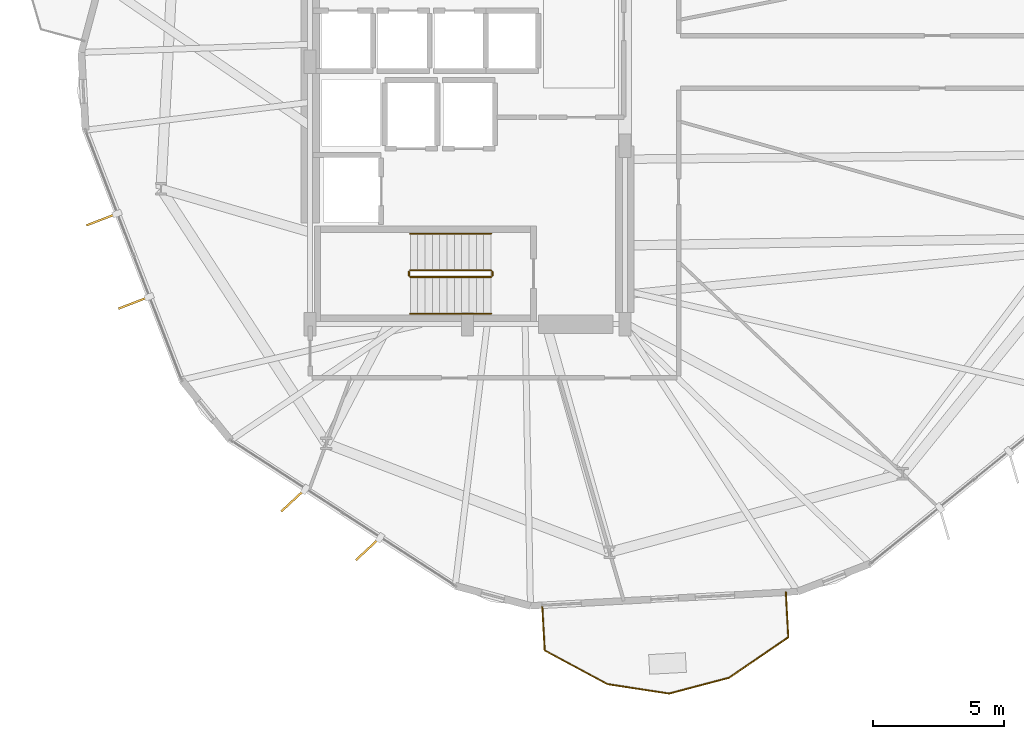
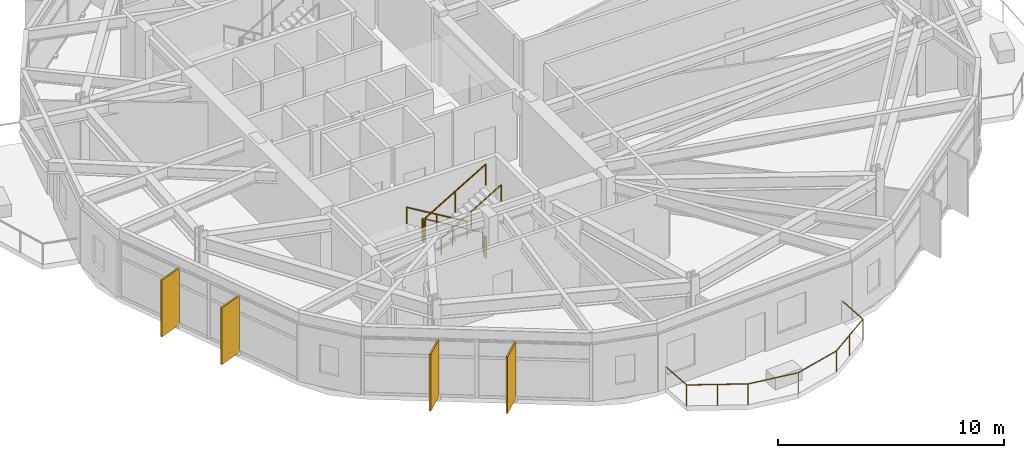
# One storey, part 21 of 23: 7 railings, 4 shading devices.
"""IFC4 building model written with IfcOpenShell, lengths in metres."""

from ifc_helpers import new_model, si_unit, direction, frame, origin, origin_2d, place, context, subcontext, project, spatial, rectangle, circle, extrude, material, layer, layer_set, type_object, element, save


model = new_model("IFC4")

# Units and contexts
model_context = context("Model", 3, precision=1e-05, world=origin(), true_north=direction((0.0, 1.0)))
body_context = subcontext(model_context, "Body", "Model", "MODEL_VIEW")
ifc_project = project(units=[si_unit("LENGTHUNIT", "METRE"), si_unit("AREAUNIT", "SQUARE_METRE"), si_unit("VOLUMEUNIT", "CUBIC_METRE"), si_unit("PLANEANGLEUNIT", "RADIAN"), si_unit("MASSUNIT", "GRAM", prefix="KILO")], contexts=[model_context])

# Site, building, storey
site_placement = place(None, origin())
site = spatial("IfcSite", under=ifc_project, at=site_placement, CompositionType="ELEMENT")
building_placement = place(site_placement, origin())
building = spatial("IfcBuilding", under=site, at=building_placement, Name="Soratama Intermodal Tower", CompositionType="ELEMENT")
storey_placement = place(building_placement, frame((0.0, 0.0, 38.60009765625)))
storey = spatial("IfcBuildingStorey", under=building, at=storey_placement, Name="L08", CompositionType="ELEMENT", Elevation=38.60009765625)

# Railings
ifc_material_1 = material(Name="Laminated glass and stainless steel balustrade", Category="steel")
railing_type_1 = type_object("IfcRailingType", Name="RL-BAL-1150", PredefinedType="BALUSTRADE", material=ifc_material_1)
railing_1_placement = place(storey_placement, frame((50.738037109375, 4.779541015625, 0.0)))
element("IfcRailing", 1, at=railing_1_placement, inside=storey, type_object=railing_type_1, Name="L08 Balcony Balustrade 4", PredefinedType="BALUSTRADE", context=body_context, shape_type="SweptSolid", body=[
    extrude(circle(Radius=0.02392578125, at=origin_2d()), frame((0.0, 0.0, 1.1259765625), z_axis=(0.053512413431, -0.998567184324, 0.0), x_axis=(0.998567184324, 0.053512413431, 0.0)), (0.0, 0.0, 1.0), 1.719970703125),
    extrude(circle(Radius=0.02392578125, at=origin_2d()), frame((0.092041015625, -1.717529296875, 1.1259765625), z_axis=(-0.825269863009, -0.564738570677, 0.0), x_axis=(0.564738570677, -0.825269863009, 0.0)), (0.0, 0.0, 1.0), 2.72216796875),
    extrude(circle(Radius=0.02392578125, at=origin_2d()), frame((-2.154541015625, -3.2548828125, 1.1259765625), z_axis=(-0.966661836648, -0.25605642653, 0.0), x_axis=(0.25605642653, -0.966661836648, 0.0)), (0.0, 0.0, 1.0), 2.375),
    extrude(circle(Radius=0.02392578125, at=origin_2d()), frame((-4.450439453125, -3.863037109375, 1.1259765625), z_axis=(-0.988457094084, 0.151501066516, 0.0), x_axis=(-0.151501066516, -0.988457094084, 0.0)), (0.0, 0.0, 1.0), 2.375244140625),
    extrude(circle(Radius=0.02392578125, at=origin_2d()), frame((-6.79833984375, -3.503173828125, 1.1259765625), z_axis=(-0.880779045809, 0.473527478044, 0.0), x_axis=(-0.473527478044, -0.880779045809, 0.0)), (0.0, 0.0, 1.0), 2.72216796875),
    extrude(circle(Radius=0.02392578125, at=origin_2d()), frame((-9.196044921875, -2.214111328125, 1.1259765625), z_axis=(-0.053370875543, 0.998574759166, 0.0), x_axis=(-0.998574759166, -0.053370875543, 0.0)), (0.0, 0.0, 1.0), 1.719970703125),
    extrude(circle(Radius=0.02099609375, at=origin_2d()), origin(), (0.0, 0.0, 1.0), 1.101806640625),
    extrude(circle(Radius=0.02099609375, at=origin_2d()), frame((0.092041015625, -1.717529296875, 0.0)), (0.0, 0.0, 1.0), 1.101806640625),
    extrude(circle(Radius=0.02099609375, at=origin_2d()), frame((-1.03125, -2.486328125, 0.0)), (0.0, 0.0, 1.0), 1.101806640625),
    extrude(circle(Radius=0.02099609375, at=origin_2d()), frame((-2.154541015625, -3.2548828125, 0.0)), (0.0, 0.0, 1.0), 1.101806640625),
    extrude(circle(Radius=0.02099609375, at=origin_2d()), frame((-4.450439453125, -3.863037109375, 0.0)), (0.0, 0.0, 1.0), 1.101806640625),
    extrude(circle(Radius=0.02099609375, at=origin_2d()), frame((-6.79833984375, -3.503173828125, 0.0)), (0.0, 0.0, 1.0), 1.101806640625),
    extrude(circle(Radius=0.02099609375, at=origin_2d()), frame((-7.9970703125, -2.858642578125, 0.0)), (0.0, 0.0, 1.0), 1.101806640625),
    extrude(circle(Radius=0.02099609375, at=origin_2d()), frame((-9.196044921875, -2.214111328125, 0.0)), (0.0, 0.0, 1.0), 1.101806640625),
    extrude(circle(Radius=0.02099609375, at=origin_2d()), frame((-9.287841796875, -0.49658203125, 0.0)), (0.0, 0.0, 1.0), 1.101806640625),
])
ifc_material_2 = material(Name="Painted steel stair guardrail", Category="steel")
railing_type_2 = type_object("IfcRailingType", Name="RL-STAIR-GUARD", PredefinedType="GUARDRAIL", material=ifc_material_2)
railing_2_placement = place(storey_placement, frame((39.5, 17.050048828125, 0.16650390625)))
element("IfcRailing", 2, at=railing_2_placement, inside=storey, type_object=railing_type_2, Name="L08 ST-1 stair guard 1", PredefinedType="GUARDRAIL", context=body_context, shape_type="SweptSolid", body=[
    extrude(circle(Radius=0.02392578125, at=origin_2d()), frame((0.0, 0.0, 1.1259765625), z_axis=(-0.85927862911, 0.0, 0.511507807912), x_axis=(0.0, -1.0, 0.0)), (0.0, 0.0, 1.0), 3.58447265625),
    extrude(circle(Radius=0.02099609375, at=origin_2d()), origin(), (0.0, 0.0, 1.0), 1.101806640625),
    extrude(circle(Radius=0.02099609375, at=origin_2d()), frame((-1.5400390625, 0.0, 0.916748046875)), (0.0, 0.0, 1.0), 1.101806640625),
    extrude(circle(Radius=0.02099609375, at=origin_2d()), frame((-3.080078125, 0.0, 1.83349609375)), (0.0, 0.0, 1.0), 1.101806640625),
])
railing_3_placement = place(storey_placement, frame((36.3701171875, 17.0, 2.0)))
element("IfcRailing", 3, at=railing_3_placement, inside=storey, type_object=railing_type_2, Name="L08 ST-1 stair guard 2", PredefinedType="GUARDRAIL", context=body_context, shape_type="SweptSolid", body=[
    extrude(circle(Radius=0.02392578125, at=origin_2d()), frame((0.0, 0.0, 1.1259765625), z_axis=(0.0, -1.0, 0.0), x_axis=(1.0, 0.0, 0.0)), (0.0, 0.0, 1.0), 0.14990234375),
    extrude(circle(Radius=0.02099609375, at=origin_2d()), origin(), (0.0, 0.0, 1.0), 1.101806640625),
    extrude(circle(Radius=0.02099609375, at=origin_2d()), frame((0.0, -0.14990234375, 0.0)), (0.0, 0.0, 1.0), 1.101806640625),
])
railing_4_placement = place(storey_placement, frame((36.419921875, 16.800048828125, 2.16650390625)))
element("IfcRailing", 4, at=railing_4_placement, inside=storey, type_object=railing_type_2, Name="L08 ST-1 stair guard 3", PredefinedType="GUARDRAIL", context=body_context, shape_type="SweptSolid", body=[
    extrude(circle(Radius=0.02392578125, at=origin_2d()), frame((0.0, 0.0, 1.1259765625), z_axis=(0.85927862911, 0.0, 0.511507807912), x_axis=(0.0, 1.0, 0.0)), (0.0, 0.0, 1.0), 3.58447265625),
    extrude(circle(Radius=0.02099609375, at=origin_2d()), origin(), (0.0, 0.0, 1.0), 1.101806640625),
    extrude(circle(Radius=0.02099609375, at=origin_2d()), frame((1.5400390625, 0.0, 0.916748046875)), (0.0, 0.0, 1.0), 1.101806640625),
    extrude(circle(Radius=0.02099609375, at=origin_2d()), frame((3.080078125, 0.0, 1.83349609375)), (0.0, 0.0, 1.0), 1.101806640625),
])
railing_5_placement = place(storey_placement, frame((39.550048828125, 17.0, 0.0)))
element("IfcRailing", 5, at=railing_5_placement, inside=storey, type_object=railing_type_2, Name="L08 ST-1 stair guard 4", PredefinedType="GUARDRAIL", context=body_context, shape_type="SweptSolid", body=[
    extrude(circle(Radius=0.02392578125, at=origin_2d()), frame((0.0, 0.0, 1.1259765625), z_axis=(0.0, -1.0, 0.0), x_axis=(1.0, 0.0, 0.0)), (0.0, 0.0, 1.0), 0.14990234375),
    extrude(circle(Radius=0.02099609375, at=origin_2d()), origin(), (0.0, 0.0, 1.0), 1.101806640625),
    extrude(circle(Radius=0.02099609375, at=origin_2d()), frame((0.0, -0.14990234375, 0.0)), (0.0, 0.0, 1.0), 1.101806640625),
])
ifc_material_3 = material(Name="Brushed stainless steel handrail", Category="steel")
railing_type_3 = type_object("IfcRailingType", Name="RL-STAIR-HAND", PredefinedType="HANDRAIL", material=ifc_material_3)
railing_6_placement = place(storey_placement, frame((39.5, 18.449951171875, 0.16650390625)))
element("IfcRailing", 6, at=railing_6_placement, inside=storey, type_object=railing_type_3, Name="L08 ST-1 stair handrail 1", PredefinedType="HANDRAIL", context=body_context, shape_type="SweptSolid", body=[
    extrude(circle(Radius=0.02392578125, at=origin_2d()), frame((0.0, 0.0, 0.8759765625), z_axis=(-0.85927862911, 0.0, 0.511507807912), x_axis=(0.0, -1.0, 0.0)), (0.0, 0.0, 1.0), 3.58447265625),
    extrude(circle(Radius=0.02099609375, at=origin_2d()), origin(), (0.0, 0.0, 1.0), 0.851806640625),
    extrude(circle(Radius=0.02099609375, at=origin_2d()), frame((-1.5400390625, 0.0, 0.916748046875)), (0.0, 0.0, 1.0), 0.851806640625),
    extrude(circle(Radius=0.02099609375, at=origin_2d()), frame((-3.080078125, 0.0, 1.83349609375)), (0.0, 0.0, 1.0), 0.851806640625),
])
railing_7_placement = place(storey_placement, frame((36.419921875, 15.39990234375, 2.16650390625)))
element("IfcRailing", 7, at=railing_7_placement, inside=storey, type_object=railing_type_3, Name="L08 ST-1 stair handrail 2", PredefinedType="HANDRAIL", context=body_context, shape_type="SweptSolid", body=[
    extrude(circle(Radius=0.02392578125, at=origin_2d()), frame((0.0, 0.0, 0.8759765625), z_axis=(0.85927862911, 0.0, 0.511507807912), x_axis=(0.0, 1.0, 0.0)), (0.0, 0.0, 1.0), 3.58447265625),
    extrude(circle(Radius=0.02099609375, at=origin_2d()), origin(), (0.0, 0.0, 1.0), 0.851806640625),
    extrude(circle(Radius=0.02099609375, at=origin_2d()), frame((1.5400390625, 0.0, 0.916748046875)), (0.0, 0.0, 1.0), 0.851806640625),
    extrude(circle(Radius=0.02099609375, at=origin_2d()), frame((3.080078125, 0.0, 1.83349609375)), (0.0, 0.0, 1.0), 0.851806640625),
])

# Shading devices
ifc_material_4 = material(Name="Champagne anodised aluminium solar fin", Category="aluminium")
ifc_layer = layer(ifc_material_4, 0.080078125)
ifc_layer_set = layer_set([ifc_layer], Name="Champagne anodised aluminium solar fin")
shading_device_type = type_object("IfcShadingDeviceType", Name="SH-FIN-1250", PredefinedType="USERDEFINED", material=ifc_layer_set)
for number, where, z_axis, x_axis, name in (
    (8, (24.658203125, 18.989013671875, 0.019775390625), (0.0, 0.0, 1.0), (-0.933204632634, -0.359345396006, 0.0), "L08 Solar Fin F06-1"),
    (9, (25.880126953125, 15.815673828125, 0.019775390625), (0.0, 0.0, 1.0), (-0.933204632634, -0.359345396006, 0.0), "L08 Solar Fin F06-2"),
    (10, (31.955078125, 8.2822265625, 0.019775390625), (0.0, 0.0, 1.0), (-0.731948578909, -0.681359873953, 0.0), "L08 Solar Fin F07-1"),
    (11, (34.808837890625, 6.43310546875, 0.019775390625), (0.0, 0.0, 1.0), (-0.731948578909, -0.681359873953, 0.0), "L08 Solar Fin F07-2"),
):
    element("IfcShadingDevice", number, at=place(storey_placement, frame(where, z_axis=z_axis, x_axis=x_axis)), inside=storey, type_object=shading_device_type, Name=name, ObjectType="FIN", PredefinedType="USERDEFINED", context=body_context, shape_type="SweptSolid", body=[
        extrude(rectangle(XDim=1.25, YDim=0.080078125, at=origin_2d()), origin(), (0.0, 0.0, 1.0), 3.05908203125),
    ])

save(model, "model.ifc")
